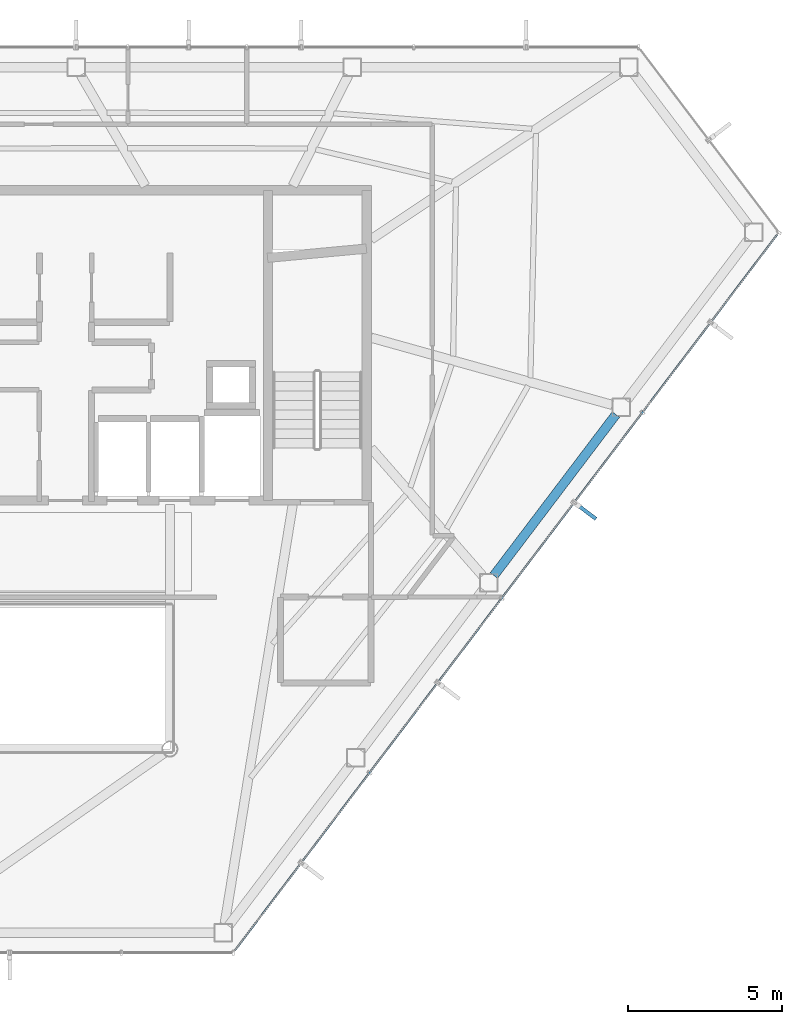
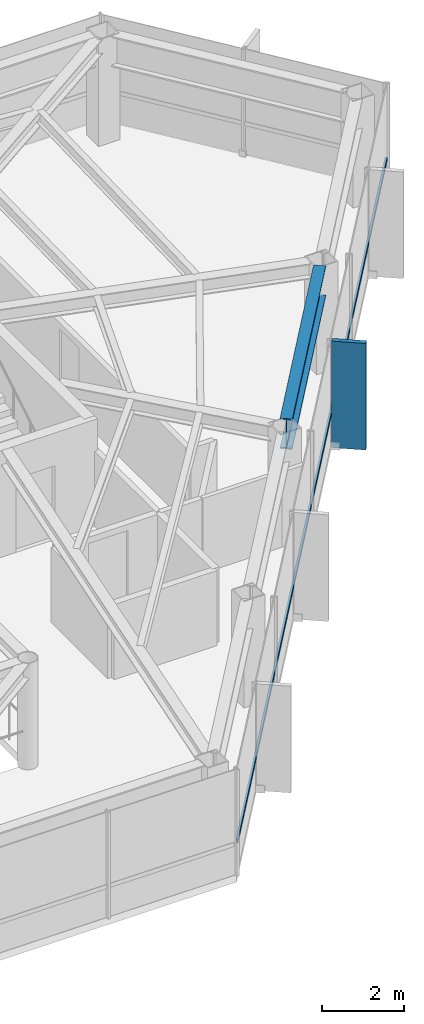
# One storey, part 16 of 25: 2 members, 1 beam, 1 element without a shape of its own.
"""IFC4 building model written with IfcOpenShell, lengths in metres."""

from ifc_helpers import new_model, si_unit, direction, frame, origin, origin_2d, place, context, subcontext, project, spatial, rectangle, hollow_rectangle, i_section, extrude, material, layer, layer_set, material_profile, profile_set, type_object, element, aggregate, save


model = new_model("IFC4")

# Units and contexts
model_context = context("Model", 3, precision=1e-05, world=origin(), true_north=direction((0.0, 1.0)))
body_context = subcontext(model_context, "Body", "Model", "MODEL_VIEW")
ifc_project = project(units=[si_unit("LENGTHUNIT", "METRE"), si_unit("AREAUNIT", "SQUARE_METRE"), si_unit("VOLUMEUNIT", "CUBIC_METRE"), si_unit("PLANEANGLEUNIT", "RADIAN"), si_unit("MASSUNIT", "GRAM", prefix="KILO")], contexts=[model_context])

# Site, building, storey
site_placement = place(None, origin())
site = spatial("IfcSite", under=ifc_project, at=site_placement, CompositionType="ELEMENT")
building_placement = place(site_placement, origin())
building = spatial("IfcBuilding", under=site, at=building_placement, Name="Zarrinselat Tower", CompositionType="ELEMENT")
storey_placement = place(building_placement, frame((0.0, 0.0, 239.360107421875)))
storey = spatial("IfcBuildingStorey", under=building, at=storey_placement, Name="L60", CompositionType="ELEMENT", Elevation=239.360107421875)

# Beam
ifc_material_1 = material(Name="Steel S460M", Category="steel")
ifc_material_profile_1 = material_profile(ifc_material_1, i_section(OverallWidth=0.302001953125, OverallDepth=0.909912109375, WebThickness=0.02099609375, FlangeThickness=0.0400390625, at=origin_2d()), Name="HEM 900")
ifc_profile_set_1 = profile_set([ifc_material_profile_1], Name="Steel S460M")
beam_type = type_object("IfcBeamType", Name="BM-HEM900", PredefinedType="BEAM", material=ifc_profile_set_1)
beam_placement = place(storey_placement, frame((52.352294921875, 30.851318359375, 2.724853515625), z_axis=(0.603869116495, 0.797083490071, 0.0), x_axis=(-0.797083490071, 0.603869116495, 0.0)))
element("IfcBeam", 1, at=beam_placement, inside=storey, type_object=beam_type, Name="L60 Perimeter Spandrel Girder SP13", PredefinedType="BEAM", context=body_context, shape_type="SweptSolid", body=[
    extrude(i_section(OverallWidth=0.302001953125, OverallDepth=0.909912109375, WebThickness=0.02099609375, FlangeThickness=0.0400390625, at=origin_2d()), origin(), (0.0, 0.0, 1.0), 6.580810546875),
])

# Curtain wall, members
ifc_material_2 = material(Name="Extruded Aluminium Alloy EN AW-6063 T6", Category="aluminium")
ifc_layer = layer(ifc_material_2, 0.169921875)
ifc_layer_set = layer_set([ifc_layer], Name="Extruded Aluminium Alloy EN AW-6063 T6")
curtain_wall_type = type_object("IfcCurtainWallType", Name="CWS-RES", PredefinedType="NOTDEFINED", material=ifc_layer_set)
curtain_wall_placement = place(storey_placement, origin())
curtain_wall = element("IfcCurtainWall", 2, at=curtain_wall_placement, inside=storey, type_object=curtain_wall_type, Name="L60 Unitised Curtain Wall CW-L60-E05", PredefinedType="NOTDEFINED")
ifc_material_3 = material(Name="Extruded Aluminium Alloy EN AW-6063 T6", Category="aluminium")
ifc_material_profile_2 = material_profile(ifc_material_3, hollow_rectangle(XDim=0.06005859375, YDim=0.1201171875, WallThickness=0.00390625, at=origin_2d()), Name="RHS 120x60x4")
ifc_profile_set_2 = profile_set([ifc_material_profile_2], Name="Extruded Aluminium Alloy EN AW-6063 T6")
member_type_1 = type_object("IfcMemberType", Name="MEM-CW-TRN2", PredefinedType="USERDEFINED", material=ifc_profile_set_2)
member_1_placement = place(storey_placement, frame((43.91259765625, 18.634521484375, 0.949951171875), z_axis=(0.603860258145, 0.797090201064, 0.0), x_axis=(-0.797090201064, 0.603860258145, 0.0)))
member_1 = element("IfcMember", 3, at=member_1_placement, type_object=member_type_1, Name="CW-L60-E05 Transom 1", ObjectType="TRANSOM", PredefinedType="USERDEFINED", context=body_context, shape_type="SweptSolid", body=[
    extrude(hollow_rectangle(XDim=0.06005859375, YDim=0.1201171875, WallThickness=0.00390625, at=origin_2d()), origin(), (0.0, 0.0, 1.0), 29.261962890625),
])
ifc_material_4 = material(Name="Honed Cream Travertine Stone", Category="masonry")
ifc_material_profile_3 = material_profile(ifc_material_4, rectangle(XDim=0.1201171875, YDim=0.85009765625, at=origin_2d()), Name="FIN 850x120")
ifc_profile_set_3 = profile_set([ifc_material_profile_3], Name="Honed Cream Travertine Stone")
member_type_2 = type_object("IfcMemberType", Name="MEM-STONE-FIN", PredefinedType="USERDEFINED", material=ifc_profile_set_3)
member_2_placement = place(storey_placement, frame((55.336669921875, 32.952392578125, 0.0), z_axis=(0.0, 0.0, 1.0), x_axis=(-0.603858472709, -0.797091553674, 0.0)))
member_2 = element("IfcMember", 4, at=member_2_placement, type_object=member_type_2, Name="L60 Stone Shading Fin CW-L60-E05-05", ObjectType="FIN", PredefinedType="USERDEFINED", context=body_context, shape_type="SweptSolid", body=[
    extrude(rectangle(XDim=0.1201171875, YDim=0.85009765625, at=origin_2d()), origin(), (0.0, 0.0, 1.0), 3.179931640625),
])
aggregate(curtain_wall, [member_2, member_1])

save(model, "model.ifc")
